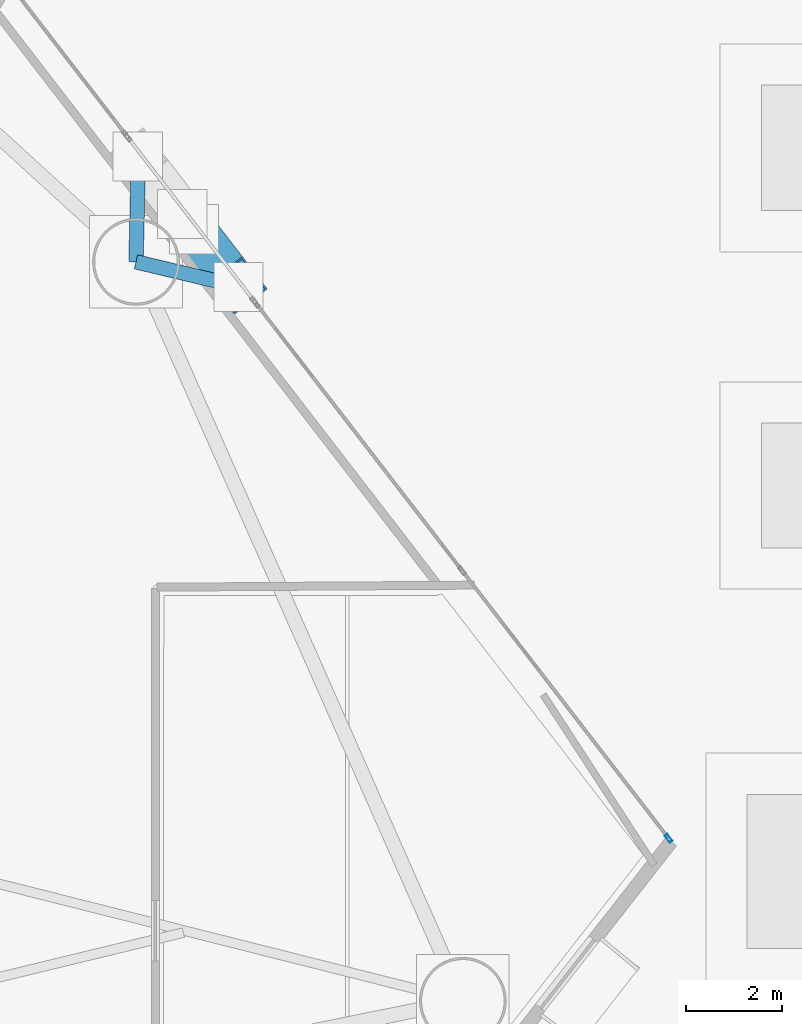
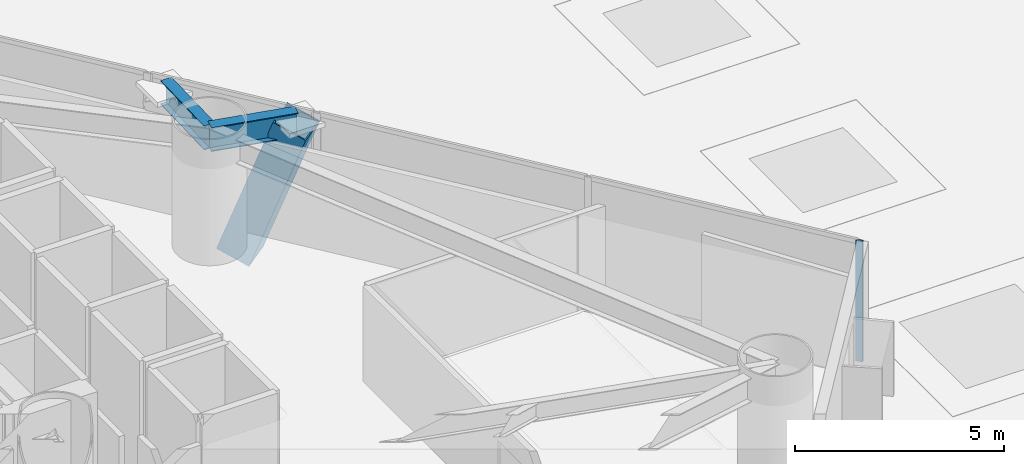
# One storey, part 12 of 22: 2 beams, 2 members, 1 element without a shape of its own.
"""IFC4 building model written with IfcOpenShell, lengths in metres."""

from ifc_helpers import new_model, si_unit, direction, frame, origin, origin_2d, place, context, subcontext, project, spatial, hollow_rectangle, i_section, extrude, material, layer, layer_set, material_profile, profile_set, type_object, element, aggregate, save


model = new_model("IFC4")

# Units and contexts
model_context = context("Model", 3, precision=1e-05, world=origin(), true_north=direction((0.0, 1.0)))
body_context = subcontext(model_context, "Body", "Model", "MODEL_VIEW")
ifc_project = project(units=[si_unit("LENGTHUNIT", "METRE"), si_unit("AREAUNIT", "SQUARE_METRE"), si_unit("VOLUMEUNIT", "CUBIC_METRE"), si_unit("PLANEANGLEUNIT", "RADIAN"), si_unit("MASSUNIT", "GRAM", prefix="KILO")], contexts=[model_context])

# Site, building, storey
site_placement = place(None, origin())
site = spatial("IfcSite", under=ifc_project, at=site_placement, CompositionType="ELEMENT")
building_placement = place(site_placement, origin())
building = spatial("IfcBuilding", under=site, at=building_placement, Name="Qianvela Tower", CompositionType="ELEMENT")
storey_placement = place(building_placement, frame((0.0, 0.0, 25.699951171875)))
storey = spatial("IfcBuildingStorey", under=building, at=storey_placement, Name="L05", CompositionType="ELEMENT", Elevation=25.699951171875)

# Beams
ifc_material_1 = material(Name="Steel Q355B", Category="steel")
ifc_material_profile_1 = material_profile(ifc_material_1, i_section(OverallWidth=0.300048828125, OverallDepth=0.699951171875, WebThickness=0.012939453125, FlangeThickness=0.02392578125, at=origin_2d()), Name="HN700x300x13x24")
ifc_profile_set_1 = profile_set([ifc_material_profile_1], Name="Steel Q355B")
beam_type = type_object("IfcBeamType", Name="BM-HN700-SPAND", PredefinedType="SPANDREL", material=ifc_profile_set_1)
beam_1_placement = place(storey_placement, frame((47.736083984375, 32.636962890625, 3.16796875), z_axis=(0.972760269324, -0.231813412954, 0.0), x_axis=(0.231813412954, 0.972760269324, 0.0)))
element("IfcBeam", 1, at=beam_1_placement, inside=storey, type_object=beam_type, Name="L05 Mega-Brace Column Tie Bracket F1-1", PredefinedType="SPANDREL", context=body_context, shape_type="SweptSolid", body=[
    extrude(i_section(OverallWidth=0.300048828125, OverallDepth=0.699951171875, WebThickness=0.012939453125, FlangeThickness=0.02392578125, at=origin_2d()), origin(), (0.0, 0.0, 1.0), 2.16748046875),
])
beam_2_placement = place(storey_placement, frame((47.736083984375, 32.636962890625, 3.16796875), z_axis=(0.022636982526, 0.999743750679, 0.0), x_axis=(-0.999743750679, 0.022636982526, 0.0)))
element("IfcBeam", 2, at=beam_2_placement, inside=storey, type_object=beam_type, Name="L05 Mega-Brace Column Tie Bracket F1-2", PredefinedType="SPANDREL", context=body_context, shape_type="SweptSolid", body=[
    extrude(i_section(OverallWidth=0.300048828125, OverallDepth=0.699951171875, WebThickness=0.012939453125, FlangeThickness=0.02392578125, at=origin_2d()), origin(), (0.0, 0.0, 1.0), 2.167724609375),
])

# Curtain wall, member
ifc_material_2 = material(Name="Anodised Architectural Aluminium and Low-E Glass", Category="aluminium")
ifc_layer = layer(ifc_material_2, 0.179931640625)
ifc_layer_set = layer_set([ifc_layer], Name="Anodised Architectural Aluminium and Low-E Glass")
curtain_wall_type = type_object("IfcCurtainWallType", Name="CW-COLIV-Z12", PredefinedType="USERDEFINED", material=ifc_layer_set)
curtain_wall_placement = place(storey_placement, origin())
curtain_wall = element("IfcCurtainWall", 3, at=curtain_wall_placement, inside=storey, type_object=curtain_wall_type, Name="L05 CW-COLIV-Z12 Curtain Wall 02A", ObjectType="CURTAIN_WALL_SYSTEM", PredefinedType="USERDEFINED")
ifc_material_3 = material(Name="Anodised Architectural Aluminium 6063-T6", Category="aluminium")
ifc_material_profile_2 = material_profile(ifc_material_3, hollow_rectangle(XDim=0.070068359375, YDim=0.179931640625, WallThickness=0.0048828125, at=origin_2d()), Name="ALU-MULL-70x180")
ifc_profile_set_2 = profile_set([ifc_material_profile_2], Name="Anodised Architectural Aluminium 6063-T6")
member_type_1 = type_object("IfcMemberType", Name="CW-COLIV-Z12-MULL", PredefinedType="MULLION", material=ifc_profile_set_2)
member_1_placement = place(storey_placement, frame((58.77783203125, 20.68505859375, 0.0), z_axis=(0.0, 0.0, 1.0), x_axis=(-0.791788928882, -0.610794803596, 0.0)))
member_1 = element("IfcMember", 4, at=member_1_placement, type_object=member_type_1, Name="CW-3 mullion 1", PredefinedType="MULLION", context=body_context, shape_type="SweptSolid", body=[
    extrude(hollow_rectangle(XDim=0.070068359375, YDim=0.179931640625, WallThickness=0.0048828125, at=origin_2d()), origin(), (0.0, 0.0, 1.0), 3.52001953125),
])
aggregate(curtain_wall, [member_1])

# Member
ifc_material_4 = material(Name="Steel Q420GJC", Category="steel")
ifc_material_profile_3 = material_profile(ifc_material_4, hollow_rectangle(XDim=0.89990234375, YDim=0.89990234375, WallThickness=0.035888671875, at=origin_2d()), Name="MBOX-900x900x36")
ifc_profile_set_3 = profile_set([ifc_material_profile_3], Name="Steel Q420GJC")
member_type_2 = type_object("IfcMemberType", Name="MBR-MBRACE-900", PredefinedType="BRACE", material=ifc_profile_set_3)
member_2_placement = place(storey_placement, frame((48.94921875, 33.295166015625, -0.90185546875), z_axis=(0.206961774211, -0.268310955713, 0.940837953667), x_axis=(0.791812173509, 0.610764669806, 0.0)))
element("IfcMember", 5, at=member_2_placement, inside=storey, type_object=member_type_2, Name="L05 Tier 1 Exterior Mega-Brace F1A", PredefinedType="BRACE", context=body_context, shape_type="SweptSolid", body=[
    extrude(hollow_rectangle(XDim=0.89990234375, YDim=0.89990234375, WallThickness=0.035888671875, at=origin_2d()), origin(), (0.0, 0.0, 1.0), 4.32568359375),
])

save(model, "model.ifc")
